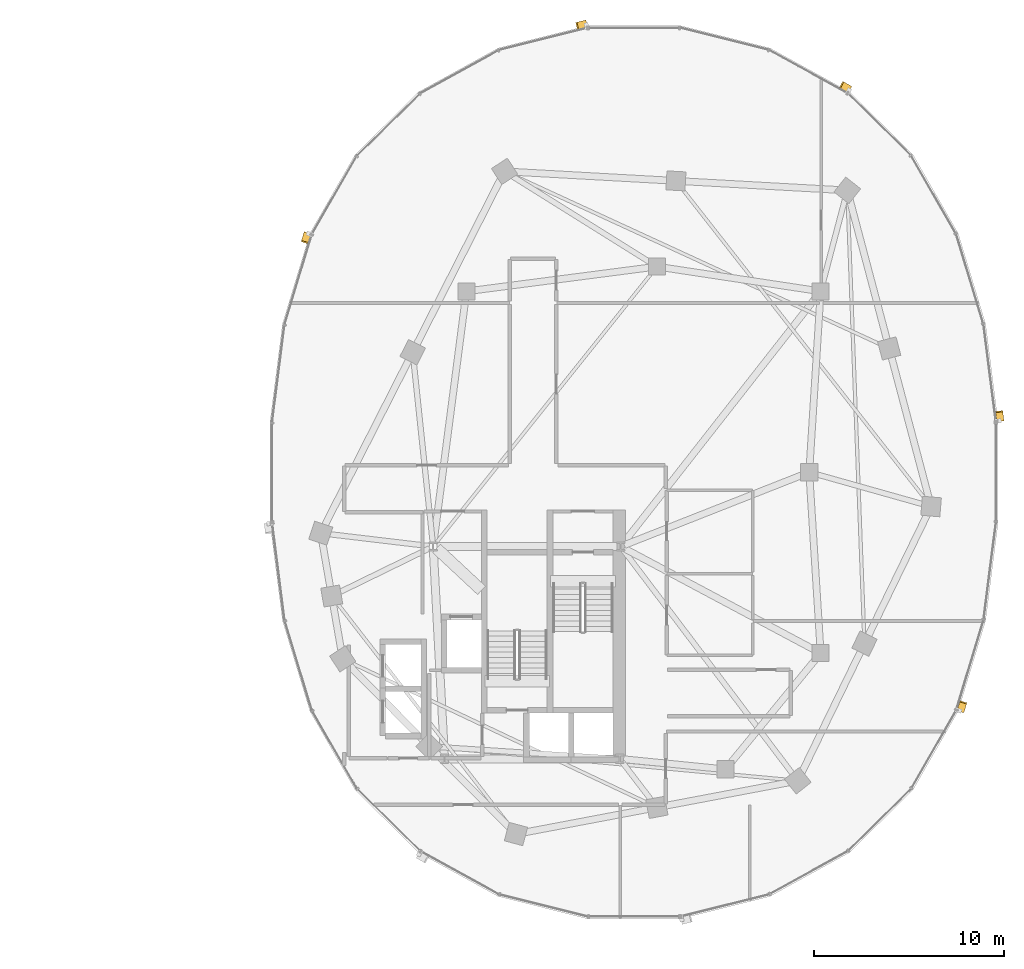
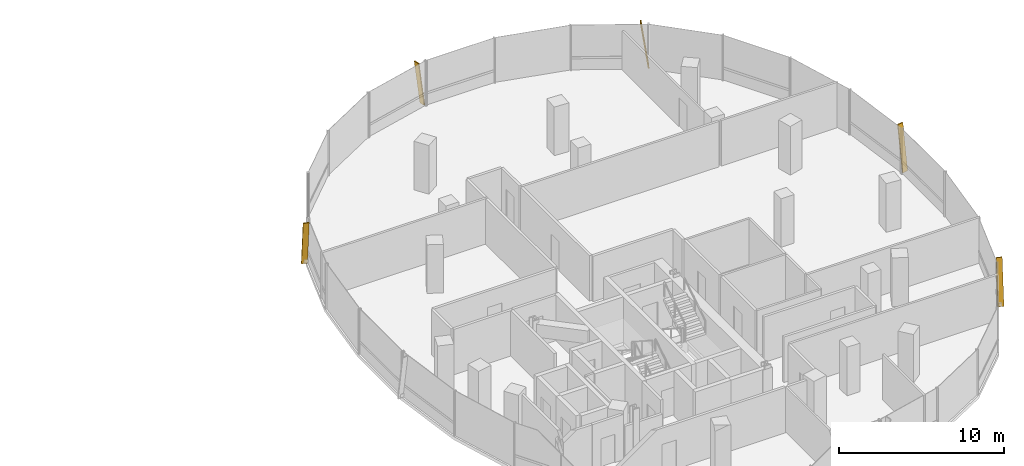
# One storey, part 22 of 22: 5 shading devices.
"""IFC4 building model written with IfcOpenShell, lengths in metres."""

from ifc_helpers import new_model, si_unit, direction, frame, origin, origin_2d, place, context, subcontext, project, spatial, rectangle, extrude, material, material_profile, profile_set, type_object, element, save


model = new_model("IFC4")

# Units and contexts
model_context = context("Model", 3, precision=1e-05, world=origin(), true_north=direction((0.0, 1.0)))
body_context = subcontext(model_context, "Body", "Model", "MODEL_VIEW")
ifc_project = project(units=[si_unit("LENGTHUNIT", "METRE"), si_unit("AREAUNIT", "SQUARE_METRE"), si_unit("VOLUMEUNIT", "CUBIC_METRE"), si_unit("PLANEANGLEUNIT", "RADIAN"), si_unit("MASSUNIT", "GRAM", prefix="KILO"), si_unit("THERMODYNAMICTEMPERATUREUNIT", "KELVIN"), si_unit("POWERUNIT", "WATT")], contexts=[model_context])

# Site, building, storey
site_placement = place(None, origin())
site = spatial("IfcSite", under=ifc_project, at=site_placement, CompositionType="ELEMENT")
building_placement = place(site_placement, origin())
building = spatial("IfcBuilding", under=site, at=building_placement, Name="Cundina Bronze Exchange", CompositionType="ELEMENT")
storey_placement = place(building_placement, frame((0.0, 0.0, 162.0)))
storey = spatial("IfcBuildingStorey", under=building, at=storey_placement, Name="L42", CompositionType="ELEMENT", Elevation=162.0)

# Shading devices
ifc_material = material(Name="Anodised Bronze Aluminium 6063-T6", Category="aluminium")
ifc_material_profile = material_profile(ifc_material, rectangle(XDim=0.070068359375, YDim=0.3798828125, at=origin_2d()), Name="FIN70X380", Category="aluminium")
ifc_profile_set = profile_set([ifc_material_profile], Name="Anodised Bronze Aluminium 6063-T6")
shading_device_type = type_object("IfcShadingDeviceType", Name="SHD-FIN-BRZ380", PredefinedType="USERDEFINED", material=ifc_profile_set)
for number, where, z_axis, x_axis, name in (
    (1, (51.23486328125, 2.705810546875, 0.02001953125), (-0.018121805099, 0.141917750773, 0.989712560391), (0.125360789044, -0.981741119016, 0.143070080046), "L42 Diagonal Bronze Solar Fin 1"),
    (2, (43.320068359375, 20.11181640625, 0.02001953125), (-0.125324460949, 0.068993954111, 0.989713905017), (0.867011652888, -0.477309551067, 0.143060778049), "L42 Diagonal Bronze Solar Fin 5"),
    (3, (29.48046875, 23.556396484375, 0.02001953125), (-0.138788401144, -0.034715294885, 0.989713407007), (0.960133415413, 0.240159223467, 0.14306422331), "L42 Diagonal Bronze Solar Fin 1"),
    (4, (14.848876953125, 12.5439453125, 0.02001953125), (-0.041483395017, -0.136967981441, 0.989706471636), (0.286882504107, 0.947215566191, 0.143112193758), "L42 Diagonal Bronze Solar Fin 5"),
    (5, (49.151123046875, -12.5439453125, 0.02001953125), (0.041483395017, 0.136967981441, 0.989706471636), (-0.286882504107, -0.947215566191, 0.143112193758), "L42 Diagonal Bronze Solar Fin 5"),
):
    element("IfcShadingDevice", number, at=place(storey_placement, frame(where, z_axis=z_axis, x_axis=x_axis)), inside=storey, type_object=shading_device_type, Name=name, ObjectType="FIN", PredefinedType="USERDEFINED", context=body_context, shape_type="SweptSolid", body=[
        extrude(rectangle(XDim=0.070068359375, YDim=0.3798828125, at=origin_2d()), origin(), (0.0, 0.0, 1.0), 3.3544921875),
    ])

save(model, "model.ifc")
